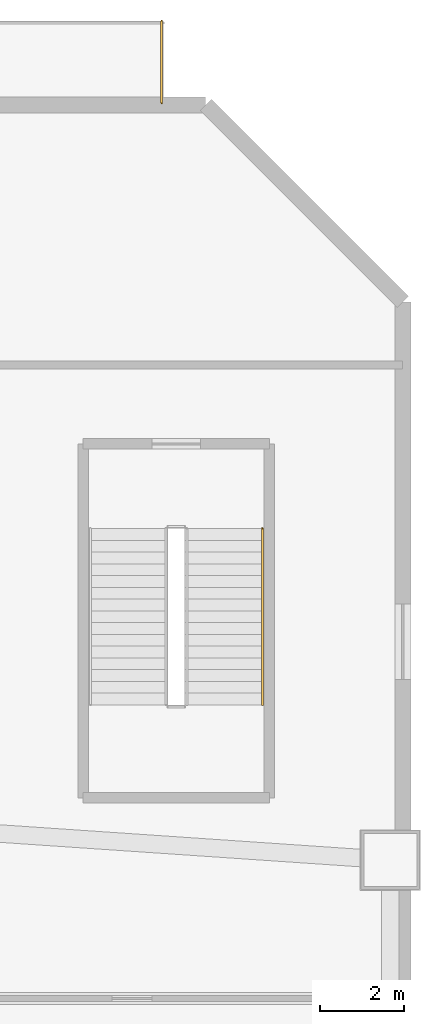
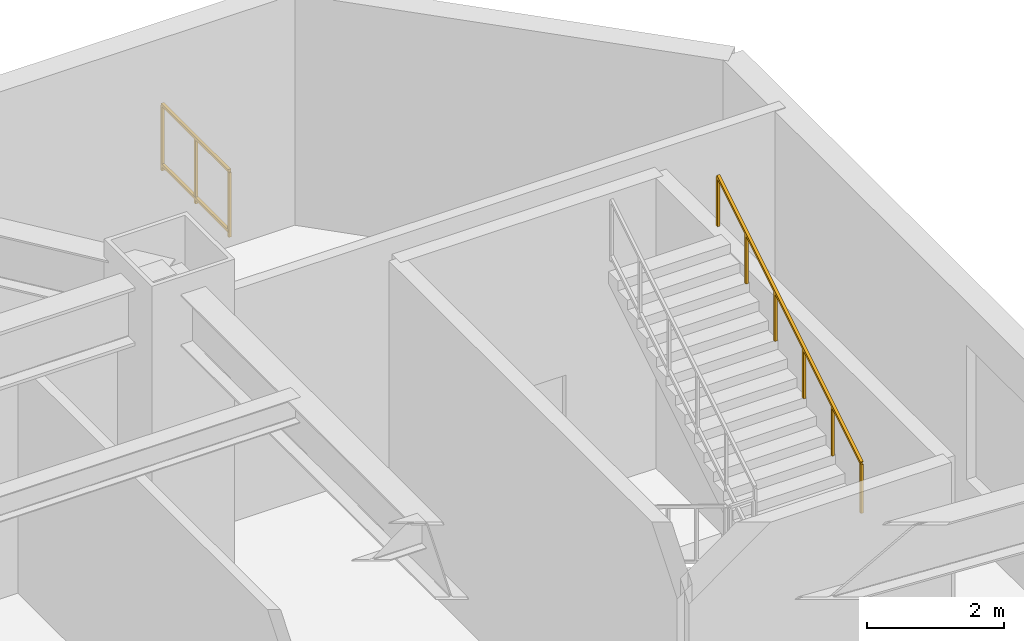
# One storey, part 9 of 9: 2 railings.
"""IFC4 building model written with IfcOpenShell, lengths in metres."""

from ifc_helpers import new_model, si_unit, direction, frame, origin, origin_2d, place, context, subcontext, project, spatial, rectangle, extrude, material, type_object, element, save


model = new_model("IFC4")

# Units and contexts
model_context = context("Model", 3, precision=1e-05, world=origin(), true_north=direction((0.0, 1.0)))
body_context = subcontext(model_context, "Body", "Model", "MODEL_VIEW")
ifc_project = project(units=[si_unit("LENGTHUNIT", "METRE"), si_unit("AREAUNIT", "SQUARE_METRE"), si_unit("VOLUMEUNIT", "CUBIC_METRE"), si_unit("PLANEANGLEUNIT", "RADIAN"), si_unit("MASSUNIT", "GRAM", prefix="KILO")], contexts=[model_context])

# Site, building, storey
site_placement = place(None, origin())
site = spatial("IfcSite", under=ifc_project, at=site_placement, CompositionType="ELEMENT")
building_placement = place(site_placement, origin())
building = spatial("IfcBuilding", under=site, at=building_placement, Name="Varnakhor Terracotta Tower", CompositionType="ELEMENT")
storey_placement = place(building_placement, frame((0.0, 0.0, 11.0)))
storey = spatial("IfcBuildingStorey", under=building, at=storey_placement, Name="L02", CompositionType="ELEMENT", Elevation=11.0)

# Railings
ifc_material_1 = material(Name="Brushed Stainless Steel Handrail", Category="steel")
railing_type_1 = type_object("IfcRailingType", Name="RLG-STAIR-HANDRAIL-920", PredefinedType="HANDRAIL", material=ifc_material_1)
railing_1_placement = place(storey_placement, frame((28.75, 31.5, 2.921875)))
element("IfcRailing", 1, at=railing_1_placement, inside=storey, type_object=railing_type_1, Name="L02 ST-P4 stair handrail 2", PredefinedType="HANDRAIL", context=body_context, shape_type="SweptSolid", body=[
    extrude(rectangle(XDim=0.048095703125, YDim=0.048095703125, at=origin_2d()), frame((0.0, 0.0, 0.89599609375), z_axis=(0.0, 0.852242915053, 0.523146264196), x_axis=(-1.0, 0.0, 0.0)), (0.0, 0.0, 1.0), 4.92822265625),
    extrude(rectangle(XDim=0.0419921875, YDim=0.0419921875, at=origin_2d()), origin(), (0.0, 0.0, 1.0), 0.871826171875),
    extrude(rectangle(XDim=0.0419921875, YDim=0.0419921875, at=origin_2d()), frame((0.0, 0.840087890625, 0.515625)), (0.0, 0.0, 1.0), 0.871826171875),
    extrude(rectangle(XDim=0.0419921875, YDim=0.0419921875, at=origin_2d()), frame((0.0, 1.679931640625, 1.03125)), (0.0, 0.0, 1.0), 0.871826171875),
    extrude(rectangle(XDim=0.0419921875, YDim=0.0419921875, at=origin_2d()), frame((0.0, 2.52001953125, 1.546875)), (0.0, 0.0, 1.0), 0.871826171875),
    extrude(rectangle(XDim=0.0419921875, YDim=0.0419921875, at=origin_2d()), frame((0.0, 3.35986328125, 2.0625)), (0.0, 0.0, 1.0), 0.871826171875),
    extrude(rectangle(XDim=0.0419921875, YDim=0.0419921875, at=origin_2d()), frame((0.0, 4.199951171875, 2.578125)), (0.0, 0.0, 1.0), 0.871826171875),
])
ifc_material_2 = material(Name="Terracotta & Brushed Steel Balustrade", Category="masonry")
railing_type_2 = type_object("IfcRailingType", Name="RLG-TERRACE-GUARD-1200", PredefinedType="BALUSTRADE", material=ifc_material_2)
railing_2_placement = place(storey_placement, frame((26.35009765625, 47.800048828125, 0.0)))
element("IfcRailing", 2, at=railing_2_placement, inside=storey, type_object=railing_type_2, Name="L02 Terrace Stone Parapet Guard 2", PredefinedType="BALUSTRADE", context=body_context, shape_type="SweptSolid", body=[
    extrude(rectangle(XDim=0.048095703125, YDim=0.048095703125, at=origin_2d()), frame((0.0, 0.0, 1.17578125), z_axis=(0.0, -1.0, 0.0), x_axis=(1.0, 0.0, 0.0)), (0.0, 0.0, 1.0), 1.9599609375),
    extrude(rectangle(XDim=0.048095703125, YDim=0.048095703125, at=origin_2d()), frame((0.0, 0.0, 0.10009765625), z_axis=(0.0, -1.0, 0.0), x_axis=(1.0, 0.0, 0.0)), (0.0, 0.0, 1.0), 1.9599609375),
    extrude(rectangle(XDim=0.0419921875, YDim=0.0419921875, at=origin_2d()), origin(), (0.0, 0.0, 1.0), 1.15185546875),
    extrude(rectangle(XDim=0.0419921875, YDim=0.0419921875, at=origin_2d()), frame((0.0, -0.97998046875, 0.0)), (0.0, 0.0, 1.0), 1.15185546875),
    extrude(rectangle(XDim=0.0419921875, YDim=0.0419921875, at=origin_2d()), frame((0.0, -1.9599609375, 0.0)), (0.0, 0.0, 1.0), 1.15185546875),
])

save(model, "model.ifc")
